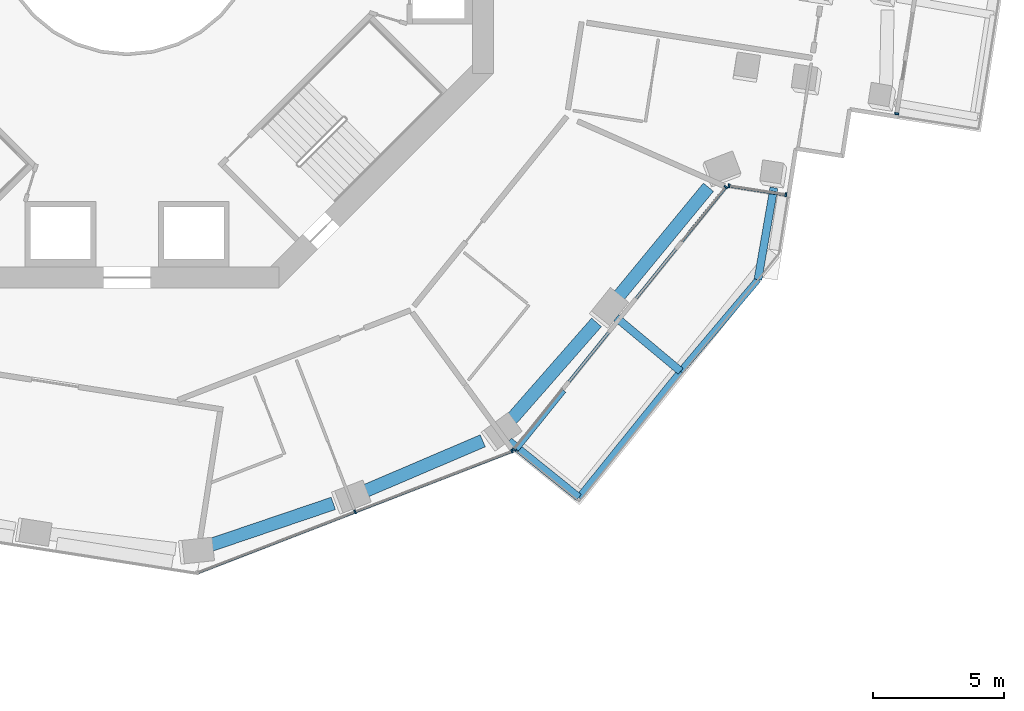
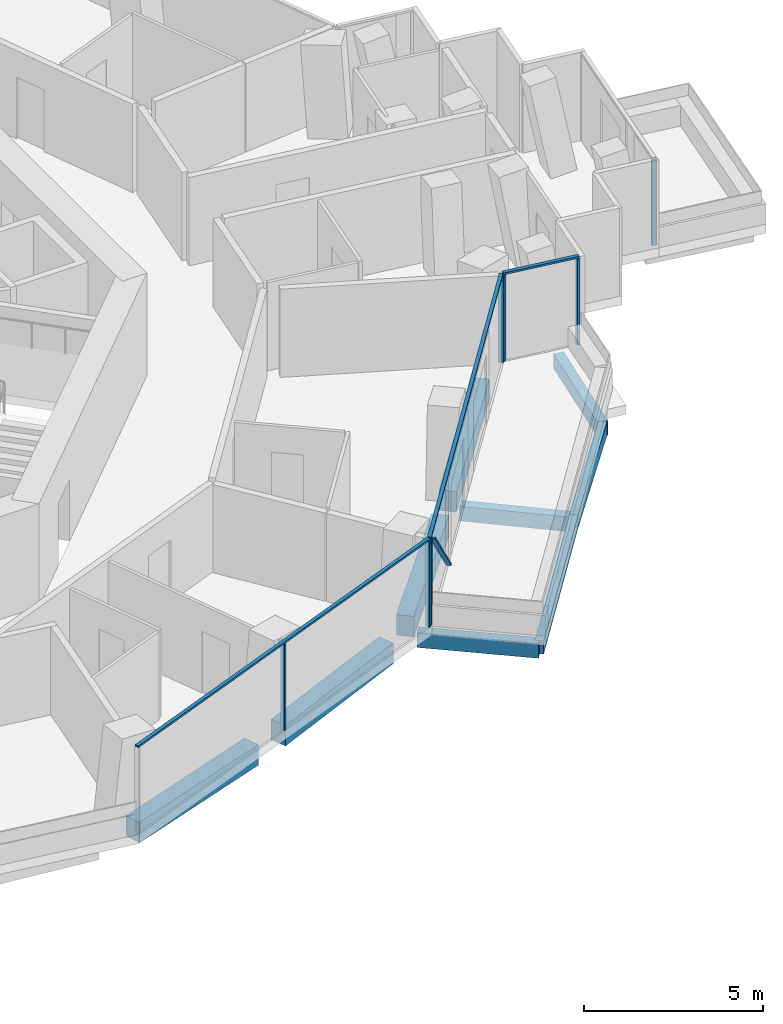
# One storey, part 5 of 23: 11 members, 9 beams, 4 elements without a shape of their own.
"""IFC4 building model written with IfcOpenShell, lengths in metres."""

from ifc_helpers import new_model, si_unit, direction, frame, origin, origin_2d, place, context, subcontext, project, spatial, rectangle, extrude, material, layer, layer_set, material_profile, profile_set, type_object, element, aggregate, save


model = new_model("IFC4")

# Units and contexts
model_context = context("Model", 3, precision=1e-05, world=origin(), true_north=direction((0.0, 1.0)))
body_context = subcontext(model_context, "Body", "Model", "MODEL_VIEW")
ifc_project = project(units=[si_unit("LENGTHUNIT", "METRE"), si_unit("AREAUNIT", "SQUARE_METRE"), si_unit("VOLUMEUNIT", "CUBIC_METRE"), si_unit("PLANEANGLEUNIT", "RADIAN"), si_unit("MASSUNIT", "GRAM", prefix="KILO")], contexts=[model_context])

# Site, building, storey
site_placement = place(None, origin())
site = spatial("IfcSite", under=ifc_project, at=site_placement, CompositionType="ELEMENT")
building_placement = place(site_placement, origin())
building = spatial("IfcBuilding", under=site, at=building_placement, Name="Verdalira Terraces Hotel", CompositionType="ELEMENT")
storey_placement = place(building_placement, frame((0.0, 0.0, 118.5)))
storey = spatial("IfcBuildingStorey", under=building, at=storey_placement, Name="L28", CompositionType="ELEMENT", Elevation=118.5)

# Beams
ifc_material_1 = material(Name="Concrete C40", Category="concrete")
ifc_material_profile_1 = material_profile(ifc_material_1, rectangle(XDim=0.300049, YDim=0.5, at=origin_2d()), Name="RC 300X500")
ifc_profile_set_1 = profile_set([ifc_material_profile_1], Name="Concrete C40")
beam_type_1 = type_object("IfcBeamType", Name="Balcony cantilever beam RC 300X500 C40", PredefinedType="BEAM", material=ifc_profile_set_1)
beam_1_placement = place(storey_placement, frame((14.596191, -19.857178, -0.560059), z_axis=(0.778489295, -0.627657883, 0.0), x_axis=(0.627657883, 0.778489295, 0.0)))
element("IfcBeam", 1, at=beam_1_placement, inside=storey, type_object=beam_type_1, Name="Balcony cantilever beam R27-1", PredefinedType="BEAM", context=body_context, shape_type="SweptSolid", body=[
    extrude(rectangle(XDim=0.300049, YDim=0.5, at=origin_2d()), origin(), (0.0, 0.0, 1.0), 3.431396),
])
beam_2_placement = place(storey_placement, frame((18.701416, -15.134033, -0.560059), z_axis=(0.767814766, -0.640671902, 0.0), x_axis=(0.640671902, 0.767814766, 0.0)))
element("IfcBeam", 2, at=beam_2_placement, inside=storey, type_object=beam_type_1, Name="Balcony cantilever beam R27-2", PredefinedType="BEAM", context=body_context, shape_type="SweptSolid", body=[
    extrude(rectangle(XDim=0.300049, YDim=0.5, at=origin_2d()), origin(), (0.0, 0.0, 1.0), 3.200928),
])
beam_3_placement = place(storey_placement, frame((24.72583, -10.167969, -0.560059), z_axis=(-0.170846997, -0.985297571, 0.0), x_axis=(0.985297571, -0.170846997, 0.0)))
element("IfcBeam", 3, at=beam_3_placement, inside=storey, type_object=beam_type_1, Name="Balcony cantilever beam R27-3", PredefinedType="BEAM", context=body_context, shape_type="SweptSolid", body=[
    extrude(rectangle(XDim=0.300049, YDim=0.5, at=origin_2d()), origin(), (0.0, 0.0, 1.0), 3.56543),
])
ifc_material_2 = material(Name="Concrete C40", Category="concrete")
ifc_material_profile_2 = material_profile(ifc_material_2, rectangle(XDim=0.25, YDim=0.449951, at=origin_2d()), Name="RC 250X450")
ifc_profile_set_2 = profile_set([ifc_material_profile_2], Name="Concrete C40")
beam_type_2 = type_object("IfcBeamType", Name="Balcony edge beam RC 250X450 C40", PredefinedType="BEAM", material=ifc_profile_set_2)
beam_4_placement = place(storey_placement, frame((17.267578, -22.010986, -0.534912), z_axis=(0.627706268, 0.778450282, 0.0), x_axis=(-0.778450282, 0.627706268, 0.0)))
element("IfcBeam", 4, at=beam_4_placement, inside=storey, type_object=beam_type_2, Name="Balcony edge beam R27-1", PredefinedType="BEAM", context=body_context, shape_type="SweptSolid", body=[
    extrude(rectangle(XDim=0.25, YDim=0.449951, at=origin_2d()), origin(), (0.0, 0.0, 1.0), 6.199707),
])
beam_5_placement = place(storey_placement, frame((21.15918, -17.184814, -0.534912), z_axis=(0.64501089, 0.764173378, 0.0), x_axis=(-0.764173378, 0.64501089, 0.0)))
element("IfcBeam", 5, at=beam_5_placement, inside=storey, type_object=beam_type_2, Name="Balcony edge beam R27-2", PredefinedType="BEAM", context=body_context, shape_type="SweptSolid", body=[
    extrude(rectangle(XDim=0.25, YDim=0.449951, at=origin_2d()), origin(), (0.0, 0.0, 1.0), 4.585205),
])

# Curtain wall, members
ifc_material_3 = material(Name="Clear glass", Category="glass")
ifc_layer_1 = layer(ifc_material_3, 0.14990234375)
ifc_layer_set_1 = layer_set([ifc_layer_1], Name="CW1 curtain wall")
curtain_wall_type_1 = type_object("IfcCurtainWallType", Name="CW1 curtain wall", PredefinedType="NOTDEFINED", material=ifc_layer_set_1)
curtain_wall_1_placement = place(storey_placement, origin())
curtain_wall_1 = element("IfcCurtainWall", 6, at=curtain_wall_1_placement, inside=storey, type_object=curtain_wall_type_1, Name="CW1 curtain wall L28 edge 26", PredefinedType="NOTDEFINED")
ifc_material_4 = material(Name="Terracotta frame", Category="masonry")
ifc_material_profile_3 = material_profile(ifc_material_4, rectangle(XDim=0.060059, YDim=0.149902, at=origin_2d()), Name="MU 60x150")
ifc_profile_set_3 = profile_set([ifc_material_profile_3], Name="Terracotta frame")
member_type_1 = type_object("IfcMemberType", Name="CW1 mullion 60x150", PredefinedType="MULLION", material=ifc_profile_set_3)
member_1_placement = place(storey_placement, frame((8.713867, -22.558838, 0.0), z_axis=(0.0, 0.0, 1.0), x_axis=(0.932827815, 0.360322448, 0.0)))
member_1 = element("IfcMember", 7, at=member_1_placement, type_object=member_type_1, Name="CW1 mullion", PredefinedType="MULLION", context=body_context, shape_type="SweptSolid", body=[
    extrude(rectangle(XDim=0.060059, YDim=0.149902, at=origin_2d()), origin(), (0.0, 0.0, 1.0), 2.935059),
])
member_2_placement = place(storey_placement, frame((14.71167, -20.242188, 0.0), z_axis=(0.0, 0.0, 1.0), x_axis=(0.932827815, 0.360322448, 0.0)))
member_2 = element("IfcMember", 8, at=member_2_placement, type_object=member_type_1, Name="CW1 mullion", PredefinedType="MULLION", context=body_context, shape_type="SweptSolid", body=[
    extrude(rectangle(XDim=0.060059, YDim=0.149902, at=origin_2d()), origin(), (0.0, 0.0, 1.0), 2.935059),
])

curtain_wall_2_placement = place(storey_placement, origin())
curtain_wall_2 = element("IfcCurtainWall", 9, at=curtain_wall_2_placement, inside=storey, type_object=curtain_wall_type_1, Name="CW1 curtain wall L28 edge 27", PredefinedType="NOTDEFINED")
member_3_placement = place(storey_placement, frame((14.789795, -20.185059, 0.0), z_axis=(0.0, 0.0, 1.0), x_axis=(0.627691361, 0.778462302, 0.0)))
member_3 = element("IfcMember", 10, at=member_3_placement, type_object=member_type_1, Name="CW1 mullion", PredefinedType="MULLION", context=body_context, shape_type="SweptSolid", body=[
    extrude(rectangle(XDim=0.060059, YDim=0.149902, at=origin_2d()), origin(), (0.0, 0.0, 1.0), 2.935059),
])
member_4_placement = place(storey_placement, frame((22.886963, -10.143066, 0.0), z_axis=(0.0, 0.0, 1.0), x_axis=(0.627691361, 0.778462302, 0.0)))
member_4 = element("IfcMember", 11, at=member_4_placement, type_object=member_type_1, Name="CW1 mullion", PredefinedType="MULLION", context=body_context, shape_type="SweptSolid", body=[
    extrude(rectangle(XDim=0.060059, YDim=0.149902, at=origin_2d()), origin(), (0.0, 0.0, 1.0), 2.935059),
])

# Member
ifc_material_5 = material(Name="Terracotta frame", Category="masonry")
ifc_material_profile_4 = material_profile(ifc_material_5, rectangle(XDim=0.110107, YDim=0.064941, at=origin_2d()), Name="TR 65x110")
ifc_profile_set_4 = profile_set([ifc_material_profile_4], Name="Terracotta frame")
member_type_2 = type_object("IfcMemberType", Name="CW1 transom 65x110", PredefinedType="USERDEFINED", material=ifc_profile_set_4)
member_5_placement = place(storey_placement, frame((2.650391, -24.900879, 2.967529), z_axis=(0.932829508, 0.360318066, 0.0), x_axis=(-0.360318066, 0.932829508, 0.0)))
member_5 = element("IfcMember", 12, at=member_5_placement, type_object=member_type_2, Name="CW1 transom", ObjectType="TRANSOM", PredefinedType="USERDEFINED", context=body_context, shape_type="SweptSolid", body=[
    extrude(rectangle(XDim=0.110107, YDim=0.064941, at=origin_2d()), origin(), (0.0, 0.0, 1.0), 12.959961),
])

aggregate(curtain_wall_1, [member_1, member_2, member_5])

member_6_placement = place(storey_placement, frame((14.770996, -20.208496, 2.967529), z_axis=(0.627686171, 0.778466487, 0.0), x_axis=(-0.778466487, 0.627686171, 0.0)))
member_6 = element("IfcMember", 13, at=member_6_placement, type_object=member_type_2, Name="CW1 transom", ObjectType="TRANSOM", PredefinedType="USERDEFINED", context=body_context, shape_type="SweptSolid", body=[
    extrude(rectangle(XDim=0.110107, YDim=0.064941, at=origin_2d()), origin(), (0.0, 0.0, 1.0), 12.959961),
])

# Curtain wall, members
ifc_material_6 = material(Name="Clear glass", Category="glass")
ifc_layer_2 = layer(ifc_material_6, 0.14990234375)
ifc_layer_set_2 = layer_set([ifc_layer_2], Name="CW2 curtain wall")
curtain_wall_type_2 = type_object("IfcCurtainWallType", Name="CW2 curtain wall", PredefinedType="NOTDEFINED", material=ifc_layer_set_2)
curtain_wall_3_placement = place(storey_placement, origin())
curtain_wall_3 = element("IfcCurtainWall", 14, at=curtain_wall_3_placement, inside=storey, type_object=curtain_wall_type_2, Name="CW2 curtain wall L28 edge 28", PredefinedType="NOTDEFINED")
ifc_material_7 = material(Name="Terracotta frame", Category="masonry")
ifc_material_profile_5 = material_profile(ifc_material_7, rectangle(XDim=0.070068, YDim=0.149902, at=origin_2d()), Name="MU 70x150")
ifc_profile_set_5 = profile_set([ifc_material_profile_5], Name="Terracotta frame")
member_type_3 = type_object("IfcMemberType", Name="CW2 mullion 70x150", PredefinedType="MULLION", material=ifc_profile_set_5)
member_7_placement = place(storey_placement, frame((23.010254, -10.098145, 0.0), z_axis=(0.0, 0.0, 1.0), x_axis=(0.98801381, -0.154365514, 0.0)))
member_7 = element("IfcMember", 15, at=member_7_placement, type_object=member_type_3, Name="CW2 mullion", PredefinedType="MULLION", context=body_context, shape_type="SweptSolid", body=[
    extrude(rectangle(XDim=0.070068, YDim=0.149902, at=origin_2d()), origin(), (0.0, 0.0, 1.0), 2.935059),
])
member_8_placement = place(storey_placement, frame((25.182617, -10.4375, 0.0), z_axis=(0.0, 0.0, 1.0), x_axis=(0.98801381, -0.154365514, 0.0)))
member_8 = element("IfcMember", 16, at=member_8_placement, type_object=member_type_3, Name="CW2 mullion", PredefinedType="MULLION", context=body_context, shape_type="SweptSolid", body=[
    extrude(rectangle(XDim=0.070068, YDim=0.149902, at=origin_2d()), origin(), (0.0, 0.0, 1.0), 2.935059),
])
ifc_material_8 = material(Name="Terracotta frame", Category="masonry")
ifc_material_profile_6 = material_profile(ifc_material_8, rectangle(XDim=0.11499, YDim=0.064941, at=origin_2d()), Name="TR 65x115")
ifc_profile_set_6 = profile_set([ifc_material_profile_6], Name="Terracotta frame")
member_type_4 = type_object("IfcMemberType", Name="CW2 transom 65x115", PredefinedType="USERDEFINED", material=ifc_profile_set_6)
member_9_placement = place(storey_placement, frame((22.97583, -10.092529, 2.967529), z_axis=(0.988001772, -0.154442543, 0.0), x_axis=(0.154442543, 0.988001772, 0.0)))
member_9 = element("IfcMember", 17, at=member_9_placement, type_object=member_type_4, Name="CW2 transom", ObjectType="TRANSOM", PredefinedType="USERDEFINED", context=body_context, shape_type="SweptSolid", body=[
    extrude(rectangle(XDim=0.11499, YDim=0.064941, at=origin_2d()), origin(), (0.0, 0.0, 1.0), 2.268311),
])
aggregate(curtain_wall_3, [member_7, member_8, member_9])

# Curtain wall, member
ifc_material_9 = material(Name="Clear glass", Category="glass")
ifc_layer_3 = layer(ifc_material_9, 0.14990234375)
ifc_layer_set_3 = layer_set([ifc_layer_3], Name="CW3 curtain wall")
curtain_wall_type_3 = type_object("IfcCurtainWallType", Name="CW3 curtain wall", PredefinedType="NOTDEFINED", material=ifc_layer_set_3)
curtain_wall_4_placement = place(storey_placement, origin())
curtain_wall_4 = element("IfcCurtainWall", 18, at=curtain_wall_4_placement, inside=storey, type_object=curtain_wall_type_3, Name="CW3 curtain wall L28 edge 33", PredefinedType="NOTDEFINED")
ifc_material_10 = material(Name="Terracotta frame", Category="masonry")
ifc_material_profile_7 = material_profile(ifc_material_10, rectangle(XDim=0.080078, YDim=0.149902, at=origin_2d()), Name="MU 80x150")
ifc_profile_set_7 = profile_set([ifc_material_profile_7], Name="Terracotta frame")
member_type_5 = type_object("IfcMemberType", Name="CW3 mullion 80x150", PredefinedType="MULLION", material=ifc_profile_set_7)
member_10_placement = place(storey_placement, frame((29.421631, -7.3396, 0.0), z_axis=(0.0, 0.0, 1.0), x_axis=(0.154365514, 0.98801381, 0.0)))
member_10 = element("IfcMember", 19, at=member_10_placement, type_object=member_type_5, Name="CW3 mullion", PredefinedType="MULLION", context=body_context, shape_type="SweptSolid", body=[
    extrude(rectangle(XDim=0.080078, YDim=0.149902, at=origin_2d()), origin(), (0.0, 0.0, 1.0), 2.935059),
])
aggregate(curtain_wall_4, [member_10])

# Member
ifc_material_11 = material(Name="Terracotta frame", Category="masonry")
ifc_material_profile_8 = material_profile(ifc_material_11, rectangle(XDim=0.149902, YDim=0.060059, at=origin_2d()), Name="GB 60x150")
ifc_profile_set_8 = profile_set([ifc_material_profile_8], Name="Terracotta frame")
member_type_6 = type_object("IfcMemberType", Name="Diagonal glazing bar 60x150", PredefinedType="USERDEFINED", material=ifc_profile_set_8)
member_11_placement = place(storey_placement, frame((14.892334, -20.199951, 2.912354), z_axis=(0.443043733, 0.549510679, -0.708343324), x_axis=(-0.778489211, 0.627657986, 0.0)))
member_11 = element("IfcMember", 20, at=member_11_placement, type_object=member_type_6, Name="Diagonal glazing bar", ObjectType="GLAZING BAR", PredefinedType="USERDEFINED", context=body_context, shape_type="SweptSolid", body=[
    extrude(rectangle(XDim=0.149902, YDim=0.060059, at=origin_2d()), origin(), (0.0, 0.0, 1.0), 4.079346),
])

aggregate(curtain_wall_2, [member_3, member_4, member_6, member_11])

# Beams
ifc_material_12 = material(Name="Concrete C70", Category="concrete")
ifc_material_profile_9 = material_profile(ifc_material_12, rectangle(XDim=0.5, YDim=0.699951, at=origin_2d()), Name="RC 500X700")
ifc_profile_set_9 = profile_set([ifc_material_profile_9], Name="Concrete C70")
beam_type_3 = type_object("IfcBeamType", Name="Spandrel beam RC 500X700 C70", PredefinedType="SPANDREL", material=ifc_profile_set_9)
beam_6_placement = place(storey_placement, frame((3.132568, -23.848633, -0.659912), z_axis=(0.94696574, 0.321334542, 0.0), x_axis=(-0.321334542, 0.94696574, 0.0)))
element("IfcBeam", 21, at=beam_6_placement, inside=storey, type_object=beam_type_3, Name="Spandrel beam B15", PredefinedType="SPANDREL", context=body_context, shape_type="SweptSolid", body=[
    extrude(rectangle(XDim=0.5, YDim=0.699951, at=origin_2d()), origin(), (0.0, 0.0, 1.0), 5.015137),
])
beam_7_placement = place(storey_placement, frame((8.986328, -21.813965, -0.659912), z_axis=(0.919592877, 0.392872677, 0.0), x_axis=(-0.392872677, 0.919592877, 0.0)))
element("IfcBeam", 22, at=beam_7_placement, inside=storey, type_object=beam_type_3, Name="Spandrel beam B16", PredefinedType="SPANDREL", context=body_context, shape_type="SweptSolid", body=[
    extrude(rectangle(XDim=0.5, YDim=0.699951, at=origin_2d()), origin(), (0.0, 0.0, 1.0), 5.012451),
])
beam_8_placement = place(storey_placement, frame((14.637207, -19.087402, -0.659912), z_axis=(0.659427683, 0.751768003, 0.0), x_axis=(-0.751768003, 0.659427683, 0.0)))
element("IfcBeam", 23, at=beam_8_placement, inside=storey, type_object=beam_type_3, Name="Spandrel beam B17", PredefinedType="SPANDREL", context=body_context, shape_type="SweptSolid", body=[
    extrude(rectangle(XDim=0.5, YDim=0.699951, at=origin_2d()), origin(), (0.0, 0.0, 1.0), 5.015625),
])
beam_9_placement = place(storey_placement, frame((18.698242, -14.43042, -0.659912), z_axis=(0.635804472, 0.771850163, 0.0), x_axis=(-0.771850163, 0.635804472, 0.0)))
element("IfcBeam", 24, at=beam_9_placement, inside=storey, type_object=beam_type_3, Name="Spandrel beam B18", PredefinedType="SPANDREL", context=body_context, shape_type="SweptSolid", body=[
    extrude(rectangle(XDim=0.5, YDim=0.699951, at=origin_2d()), origin(), (0.0, 0.0, 1.0), 5.545166),
])

save(model, "model.ifc")
